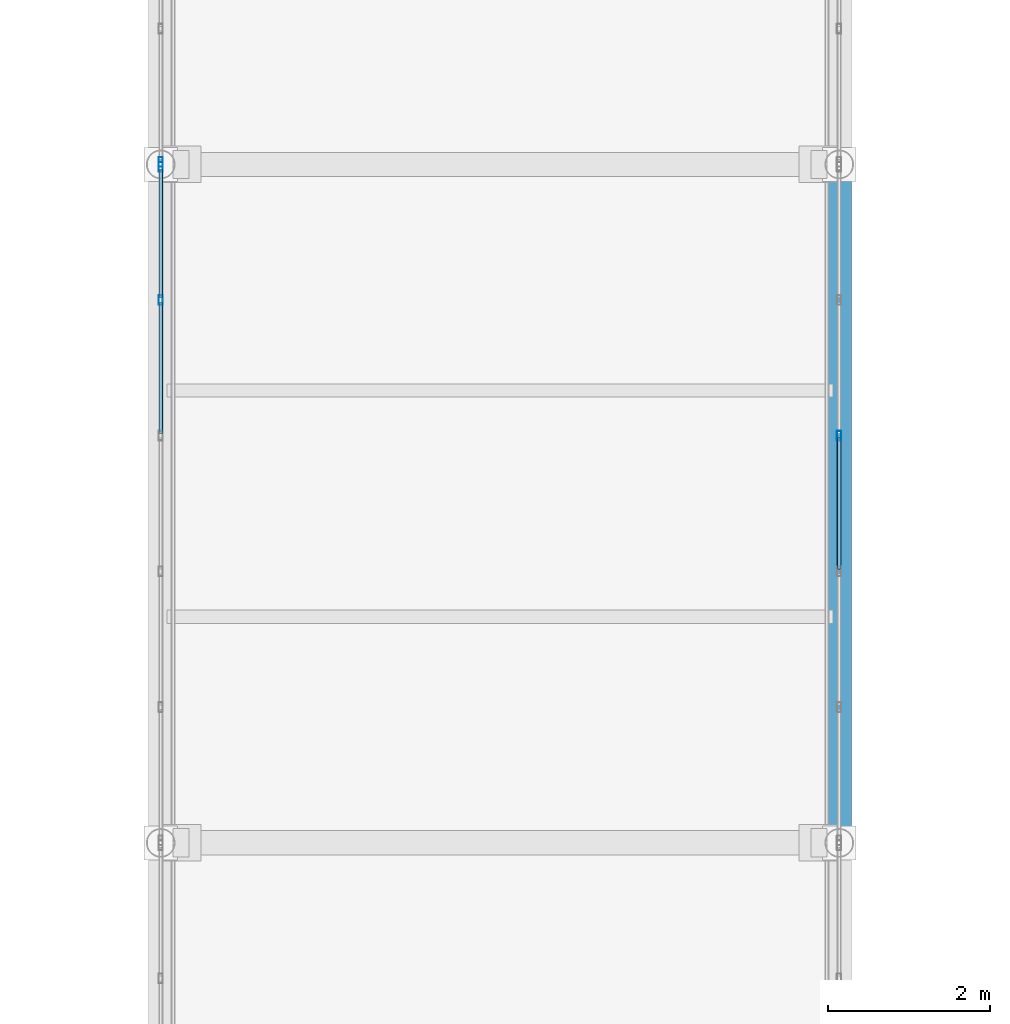
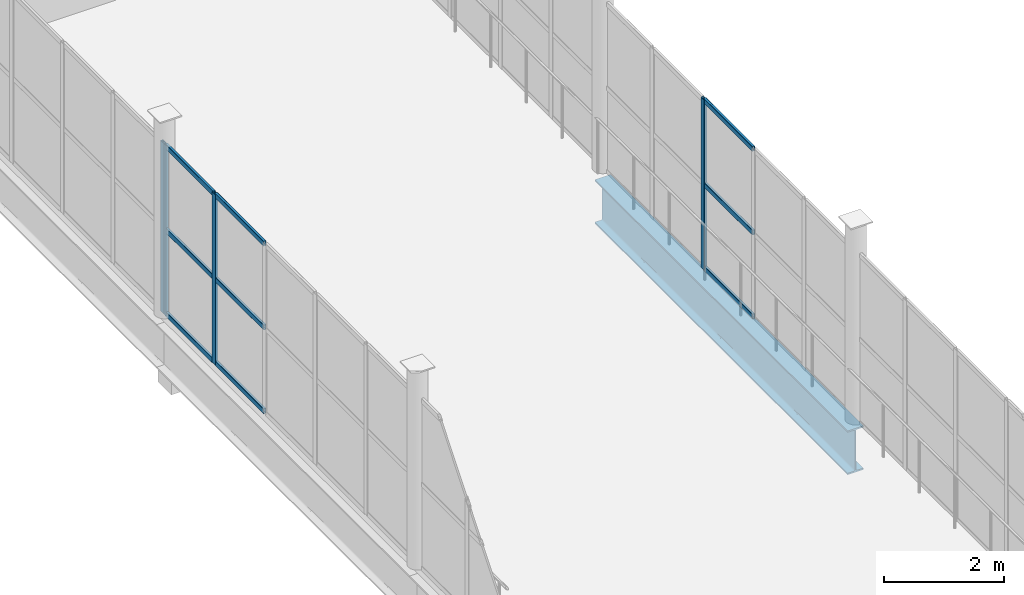
# One storey, part 63 of 184: 13 members, 1 beam, 3 elements without a shape of their own.
"""IFC4 building model written with IfcOpenShell, lengths in metres."""

from ifc_helpers import new_model, si_unit, direction, frame, origin, origin_2d, place, context, subcontext, project, spatial, hollow_rectangle, i_section, extrude, material, layer, layer_set, material_profile, profile_set, type_object, element, aggregate, save


model = new_model("IFC4")

# Units and contexts
model_context = context("Model", 3, precision=1e-05, world=origin(), true_north=direction((0.0, 1.0)))
body_context = subcontext(model_context, "Body", "Model", "MODEL_VIEW")
ifc_project = project(units=[si_unit("LENGTHUNIT", "METRE"), si_unit("AREAUNIT", "SQUARE_METRE"), si_unit("VOLUMEUNIT", "CUBIC_METRE"), si_unit("PLANEANGLEUNIT", "RADIAN"), si_unit("MASSUNIT", "GRAM", prefix="KILO")], contexts=[model_context])

# Site, building, storey
site_placement = place(None, origin())
site = spatial("IfcSite", under=ifc_project, at=site_placement, CompositionType="ELEMENT")
building_placement = place(site_placement, origin())
building = spatial("IfcBuilding", under=site, at=building_placement, Name="Qalvenar Corner Mobility Hub", CompositionType="ELEMENT")
storey_placement = place(building_placement, frame((0.0, 0.0, 9.0)))
storey = spatial("IfcBuildingStorey", under=building, at=storey_placement, Name="L02", CompositionType="ELEMENT", Elevation=9.0)

# Beam
ifc_material_1 = material(Name="Steel S355", Category="steel")
ifc_material_profile_1 = material_profile(ifc_material_1, i_section(OverallWidth=0.300048828125, OverallDepth=0.889892578125, WebThickness=0.01611328125, FlangeThickness=0.030029296875, FilletRadius=0.027099609375, at=origin_2d()), Name="HEA900")
ifc_profile_set_1 = profile_set([ifc_material_profile_1], Name="Steel S355")
beam_type = type_object("IfcBeamType", Name="BM-BRG900", PredefinedType="BEAM", material=ifc_profile_set_1)
beam_placement = place(storey_placement, frame((58.800048828125, 50.39990234375, -0.635009765625), z_axis=(0.0, 1.0, 0.0), x_axis=(-1.0, 0.0, 0.0)))
element("IfcBeam", 1, at=beam_placement, inside=storey, type_object=beam_type, Name="Court Link Bridge Girder BRG-2178", PredefinedType="BEAM", context=body_context, shape_type="SweptSolid", body=[
    extrude(i_section(OverallWidth=0.300048828125, OverallDepth=0.889892578125, WebThickness=0.01611328125, FlangeThickness=0.030029296875, FilletRadius=0.027099609375, at=origin_2d()), origin(), (0.0, 0.0, 1.0), 8.400146484375),
])

# Curtain wall, members
ifc_material_2 = material(Name="Anodised Aluminium and Low-E Glazing", Category="aluminium")
ifc_layer = layer(ifc_material_2, 0.1201171875)
ifc_layer_set = layer_set([ifc_layer], Name="Anodised Aluminium and Low-E Glazing")
curtain_wall_type = type_object("IfcCurtainWallType", Name="CW-BRG-84X28", PredefinedType="NOTDEFINED", material=ifc_layer_set)
curtain_wall_1_placement = place(storey_placement, origin())
curtain_wall_1 = element("IfcCurtainWall", 2, at=curtain_wall_1_placement, inside=storey, type_object=curtain_wall_type, Name="Glazed Curtain Wall CW-BRG-L02-W2", PredefinedType="NOTDEFINED")
ifc_material_3 = material(Name="Anodised Aluminium 6063-T6", Category="aluminium")
ifc_material_profile_2 = material_profile(ifc_material_3, hollow_rectangle(XDim=0.054931640625, YDim=0.1201171875, WallThickness=0.00341796875, InnerFilletRadius=0.00341796875, OuterFilletRadius=0.007080078125, at=origin_2d()), Name="RHS120x55x3.5")
ifc_profile_set_2 = profile_set([ifc_material_profile_2], Name="Anodised Aluminium 6063-T6")
member_type_1 = type_object("IfcMemberType", Name="CW-MUL120", PredefinedType="MULLION", material=ifc_profile_set_2)
member_1_placement = place(storey_placement, frame((50.39990234375, 58.77001953125, 0.0), z_axis=(0.0, 0.0, 1.0), x_axis=(1.0, 0.0, 0.0)))
member_1 = element("IfcMember", 3, at=member_1_placement, type_object=member_type_1, Name="CW-11 mullion 1", PredefinedType="MULLION", context=body_context, shape_type="SweptSolid", body=[
    extrude(hollow_rectangle(XDim=0.054931640625, YDim=0.1201171875, WallThickness=0.00341796875, InnerFilletRadius=0.00341796875, OuterFilletRadius=0.007080078125, at=origin_2d()), origin(), (0.0, 0.0, 1.0), 3.449951171875),
])
member_2_placement = place(storey_placement, frame((50.39990234375, 57.1201171875, 0.0), z_axis=(0.0, 0.0, 1.0), x_axis=(1.0, 0.0, 0.0)))
member_2 = element("IfcMember", 4, at=member_2_placement, type_object=member_type_1, Name="CW-11 mullion 2", PredefinedType="MULLION", context=body_context, shape_type="SweptSolid", body=[
    extrude(hollow_rectangle(XDim=0.054931640625, YDim=0.1201171875, WallThickness=0.00341796875, InnerFilletRadius=0.00341796875, OuterFilletRadius=0.007080078125, at=origin_2d()), origin(), (0.0, 0.0, 1.0), 3.449951171875),
])

# Curtain wall, member
curtain_wall_2_placement = place(storey_placement, origin())
curtain_wall_2 = element("IfcCurtainWall", 5, at=curtain_wall_2_placement, inside=storey, type_object=curtain_wall_type, Name="Glazed Curtain Wall CW-BRG-L02-E2", PredefinedType="NOTDEFINED")
member_3_placement = place(storey_placement, frame((58.800048828125, 55.43994140625, 0.0), z_axis=(0.0, 0.0, 1.0), x_axis=(-1.0, 0.0, 0.0)))
member_3 = element("IfcMember", 6, at=member_3_placement, type_object=member_type_1, Name="CW-11 mullion 4", PredefinedType="MULLION", context=body_context, shape_type="SweptSolid", body=[
    extrude(hollow_rectangle(XDim=0.054931640625, YDim=0.1201171875, WallThickness=0.00341796875, InnerFilletRadius=0.00341796875, OuterFilletRadius=0.007080078125, at=origin_2d()), origin(), (0.0, 0.0, 1.0), 3.449951171875),
])

curtain_wall_3_placement = place(storey_placement, origin())
curtain_wall_3 = element("IfcCurtainWall", 7, at=curtain_wall_3_placement, inside=storey, type_object=curtain_wall_type, Name="Glazed Curtain Wall CW-BRG-L02-W3", PredefinedType="NOTDEFINED")
member_4_placement = place(storey_placement, frame((50.39990234375, 58.830078125, 0.0), z_axis=(0.0, 0.0, 1.0), x_axis=(1.0, 0.0, 0.0)))
member_4 = element("IfcMember", 8, at=member_4_placement, type_object=member_type_1, Name="CW-11 mullion 6", PredefinedType="MULLION", context=body_context, shape_type="SweptSolid", body=[
    extrude(hollow_rectangle(XDim=0.054931640625, YDim=0.1201171875, WallThickness=0.00341796875, InnerFilletRadius=0.00341796875, OuterFilletRadius=0.007080078125, at=origin_2d()), origin(), (0.0, 0.0, 1.0), 3.449951171875),
])
aggregate(curtain_wall_3, [member_4])

# Member
ifc_material_profile_3 = material_profile(ifc_material_3, hollow_rectangle(XDim=0.050048828125, YDim=0.10009765625, WallThickness=0.0029296875, InnerFilletRadius=0.0029296875, OuterFilletRadius=0.006103515625, at=origin_2d()), Name="RHS100x50x3")
ifc_profile_set_3 = profile_set([ifc_material_profile_3], Name="Anodised Aluminium 6063-T6")
member_type_2 = type_object("IfcMemberType", Name="CW-TRN100", PredefinedType="USERDEFINED", material=ifc_profile_set_3)
member_5_placement = place(storey_placement, frame((50.39990234375, 58.739990234375, 0.027587890625), z_axis=(0.0, -1.0, 0.0), x_axis=(1.0, 0.0, 0.0)))
member_5 = element("IfcMember", 9, at=member_5_placement, type_object=member_type_2, Name="CW-11 transom 1.1", ObjectType="TRANSOM", PredefinedType="USERDEFINED", context=body_context, shape_type="SweptSolid", body=[
    extrude(hollow_rectangle(XDim=0.050048828125, YDim=0.10009765625, WallThickness=0.0029296875, InnerFilletRadius=0.0029296875, OuterFilletRadius=0.006103515625, at=origin_2d()), origin(), (0.0, 0.0, 1.0), 1.590087890625),
])

member_6_placement = place(storey_placement, frame((50.39990234375, 58.739990234375, 1.72509765625), z_axis=(0.0, -1.0, 0.0), x_axis=(1.0, 0.0, 0.0)))
member_6 = element("IfcMember", 10, at=member_6_placement, type_object=member_type_2, Name="CW-11 transom 1.2", ObjectType="TRANSOM", PredefinedType="USERDEFINED", context=body_context, shape_type="SweptSolid", body=[
    extrude(hollow_rectangle(XDim=0.050048828125, YDim=0.10009765625, WallThickness=0.0029296875, InnerFilletRadius=0.0029296875, OuterFilletRadius=0.006103515625, at=origin_2d()), origin(), (0.0, 0.0, 1.0), 1.590087890625),
])

member_7_placement = place(storey_placement, frame((50.39990234375, 58.739990234375, 3.422607421875), z_axis=(0.0, -1.0, 0.0), x_axis=(1.0, 0.0, 0.0)))
member_7 = element("IfcMember", 11, at=member_7_placement, type_object=member_type_2, Name="CW-11 transom 1.3", ObjectType="TRANSOM", PredefinedType="USERDEFINED", context=body_context, shape_type="SweptSolid", body=[
    extrude(hollow_rectangle(XDim=0.050048828125, YDim=0.10009765625, WallThickness=0.0029296875, InnerFilletRadius=0.0029296875, OuterFilletRadius=0.006103515625, at=origin_2d()), origin(), (0.0, 0.0, 1.0), 1.590087890625),
])

member_8_placement = place(storey_placement, frame((50.39990234375, 57.090087890625, 0.027587890625), z_axis=(0.0, -1.0, 0.0), x_axis=(1.0, 0.0, 0.0)))
member_8 = element("IfcMember", 12, at=member_8_placement, type_object=member_type_2, Name="CW-11 transom 2.1", ObjectType="TRANSOM", PredefinedType="USERDEFINED", context=body_context, shape_type="SweptSolid", body=[
    extrude(hollow_rectangle(XDim=0.050048828125, YDim=0.10009765625, WallThickness=0.0029296875, InnerFilletRadius=0.0029296875, OuterFilletRadius=0.006103515625, at=origin_2d()), origin(), (0.0, 0.0, 1.0), 1.6201171875),
])

member_9_placement = place(storey_placement, frame((50.39990234375, 57.090087890625, 1.72509765625), z_axis=(0.0, -1.0, 0.0), x_axis=(1.0, 0.0, 0.0)))
member_9 = element("IfcMember", 13, at=member_9_placement, type_object=member_type_2, Name="CW-11 transom 2.2", ObjectType="TRANSOM", PredefinedType="USERDEFINED", context=body_context, shape_type="SweptSolid", body=[
    extrude(hollow_rectangle(XDim=0.050048828125, YDim=0.10009765625, WallThickness=0.0029296875, InnerFilletRadius=0.0029296875, OuterFilletRadius=0.006103515625, at=origin_2d()), origin(), (0.0, 0.0, 1.0), 1.6201171875),
])

member_10_placement = place(storey_placement, frame((50.39990234375, 57.090087890625, 3.422607421875), z_axis=(0.0, -1.0, 0.0), x_axis=(1.0, 0.0, 0.0)))
member_10 = element("IfcMember", 14, at=member_10_placement, type_object=member_type_2, Name="CW-11 transom 2.3", ObjectType="TRANSOM", PredefinedType="USERDEFINED", context=body_context, shape_type="SweptSolid", body=[
    extrude(hollow_rectangle(XDim=0.050048828125, YDim=0.10009765625, WallThickness=0.0029296875, InnerFilletRadius=0.0029296875, OuterFilletRadius=0.006103515625, at=origin_2d()), origin(), (0.0, 0.0, 1.0), 1.6201171875),
])

aggregate(curtain_wall_1, [member_1, member_2, member_5, member_6, member_7, member_8, member_9, member_10])

member_11_placement = place(storey_placement, frame((58.800048828125, 53.7900390625, 0.027587890625), z_axis=(0.0, 1.0, 0.0), x_axis=(-1.0, 0.0, 0.0)))
member_11 = element("IfcMember", 15, at=member_11_placement, type_object=member_type_2, Name="CW-11 transom 3.1", ObjectType="TRANSOM", PredefinedType="USERDEFINED", context=body_context, shape_type="SweptSolid", body=[
    extrude(hollow_rectangle(XDim=0.050048828125, YDim=0.10009765625, WallThickness=0.0029296875, InnerFilletRadius=0.0029296875, OuterFilletRadius=0.006103515625, at=origin_2d()), origin(), (0.0, 0.0, 1.0), 1.619873046875),
])

member_12_placement = place(storey_placement, frame((58.800048828125, 53.7900390625, 1.72509765625), z_axis=(0.0, 1.0, 0.0), x_axis=(-1.0, 0.0, 0.0)))
member_12 = element("IfcMember", 16, at=member_12_placement, type_object=member_type_2, Name="CW-11 transom 3.2", ObjectType="TRANSOM", PredefinedType="USERDEFINED", context=body_context, shape_type="SweptSolid", body=[
    extrude(hollow_rectangle(XDim=0.050048828125, YDim=0.10009765625, WallThickness=0.0029296875, InnerFilletRadius=0.0029296875, OuterFilletRadius=0.006103515625, at=origin_2d()), origin(), (0.0, 0.0, 1.0), 1.619873046875),
])

member_13_placement = place(storey_placement, frame((58.800048828125, 53.7900390625, 3.422607421875), z_axis=(0.0, 1.0, 0.0), x_axis=(-1.0, 0.0, 0.0)))
member_13 = element("IfcMember", 17, at=member_13_placement, type_object=member_type_2, Name="CW-11 transom 3.3", ObjectType="TRANSOM", PredefinedType="USERDEFINED", context=body_context, shape_type="SweptSolid", body=[
    extrude(hollow_rectangle(XDim=0.050048828125, YDim=0.10009765625, WallThickness=0.0029296875, InnerFilletRadius=0.0029296875, OuterFilletRadius=0.006103515625, at=origin_2d()), origin(), (0.0, 0.0, 1.0), 1.619873046875),
])

aggregate(curtain_wall_2, [member_3, member_11, member_12, member_13])

save(model, "model.ifc")
